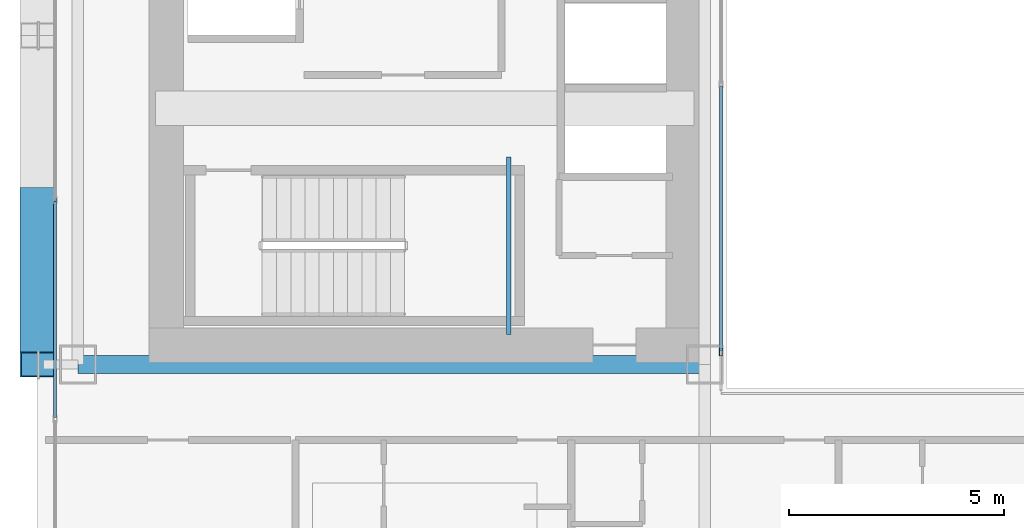
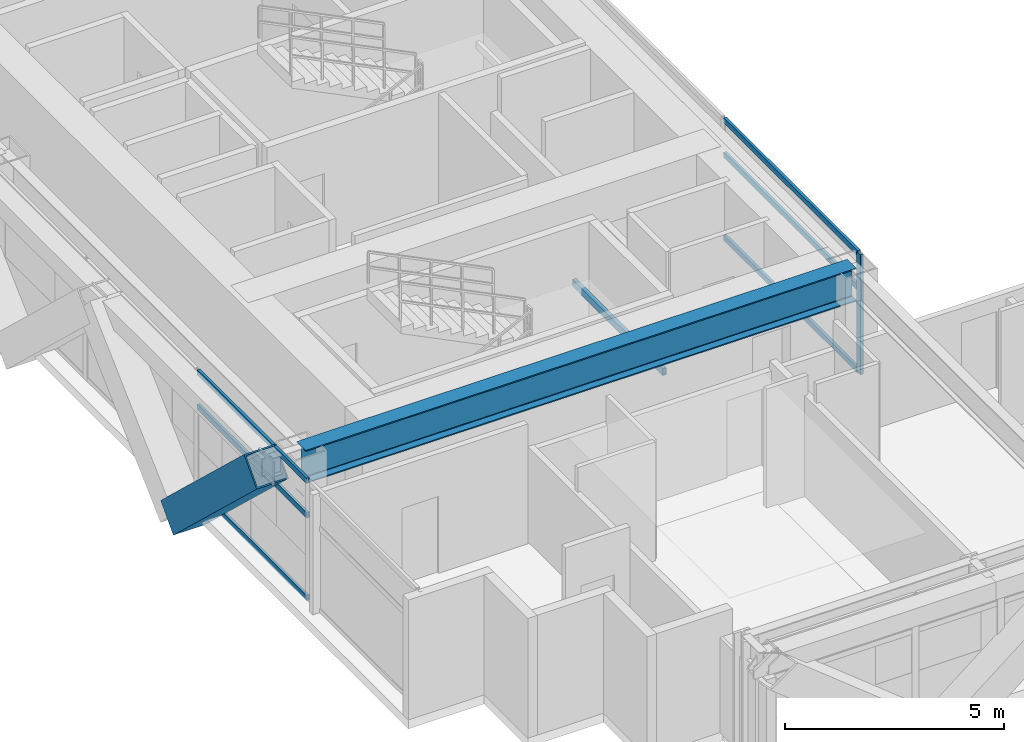
# One storey, part 4 of 41: 8 members, 2 beams, 2 elements without a shape of their own.
"""IFC4 building model written with IfcOpenShell, lengths in metres."""

import ifcopenshell
import ifcopenshell.guid

model = None  # the IFC model being written
_history = None  # IfcOwnerHistory: only IFC2X3 demands one
_inside = {}  # id of a spatial element -> (the spatial element, [elements in it])
_under = {}  # id of a project, library or spatial element -> (it, [spatial elements below it])
_declared = {}  # id of a project -> (the project, [libraries it declares])
_typed = {}  # id of a type object -> (the type object, [elements of that type])
_made_of = {}  # id of a material, layer set ... -> (it, [elements and type objects made of it])


def new_model(schema):
    """Start an empty IFC model of exactly this schema.

    Asked for "IFC4X3", IfcOpenShell would pick the latest addendum, in which some entities
    have other attributes; the version numbers below select the first issue.
    IFC2X3 requires an IfcOwnerHistory on every rooted entity: one is made here for all.
    """
    global model, _history
    if schema == "IFC4X3":
        model = ifcopenshell.file(schema_version=(4, 3, 0, 0))
    else:
        model = ifcopenshell.file(schema=schema)
    _inside.clear()
    _under.clear()
    _declared.clear()
    _typed.clear()
    _made_of.clear()
    _history = None
    if model.schema == "IFC2X3":
        org = make("IfcOrganization", Name="unknown")
        user = make(
            "IfcPersonAndOrganization",
            ThePerson=make("IfcPerson", FamilyName="unknown"),
            TheOrganization=org,
        )
        app = make(
            "IfcApplication",
            ApplicationDeveloper=org,
            Version="unknown",
            ApplicationFullName="unknown",
            ApplicationIdentifier="unknown",
        )
        _history = make(
            "IfcOwnerHistory",
            OwningUser=user,
            OwningApplication=app,
            ChangeAction="ADDED",
            CreationDate=0,
        )
    return model


def make(cls, **values):
    """One entity of the class cls with the attributes given. An attribute that is None is left unset."""
    return model.create_entity(
        cls, **{name: value for name, value in values.items() if value is not None}
    )


def rooted(cls, **values):
    """An entity with a GlobalId (a new one), such as an element, a storey or a relation."""
    return make(cls, GlobalId=ifcopenshell.guid.new(), OwnerHistory=_history, **values)


def si_unit(unit_type, name, prefix=None):
    """IfcSIUnit, for example si_unit("LENGTHUNIT", "METRE", prefix="MILLI")."""
    return make("IfcSIUnit", UnitType=unit_type, Prefix=prefix, Name=name)


def assignment(units):
    """IfcUnitAssignment: the units of a project."""
    return None if units is None else make("IfcUnitAssignment", Units=units)


def point(xyz):
    """IfcCartesianPoint."""
    return None if xyz is None else make("IfcCartesianPoint", Coordinates=xyz)


def direction(xyz):
    """IfcDirection."""
    return None if xyz is None else make("IfcDirection", DirectionRatios=xyz)


def frame(location, z_axis=None, x_axis=None):
    """IfcAxis2Placement3D, a coordinate frame: its origin and axes. An axis left out is left unset."""
    return make(
        "IfcAxis2Placement3D",
        Location=point(location),
        Axis=direction(z_axis),
        RefDirection=direction(x_axis),
    )


def frame_2d(location, x_axis=None):
    """IfcAxis2Placement2D, a coordinate frame in the plane: its origin and x axis."""
    return make(
        "IfcAxis2Placement2D", Location=point(location), RefDirection=direction(x_axis)
    )


def origin():
    """The frame at (0, 0, 0) with its axes left unset."""
    return frame((0.0, 0.0, 0.0))


def origin_2d():
    """The frame at (0, 0) in the plane with its x axis left unset."""
    return frame_2d((0.0, 0.0))


def place(relative_to, where):
    """IfcLocalPlacement: puts the frame where relative to a parent placement (None: the world)."""
    return make(
        "IfcLocalPlacement", PlacementRelTo=relative_to, RelativePlacement=where
    )


def context(
    kind, dimensions, precision=None, world=None, true_north=None, identifier=None
):
    """IfcGeometricRepresentationContext, for example the 3D "Model" context."""
    return make(
        "IfcGeometricRepresentationContext",
        ContextIdentifier=identifier,
        ContextType=kind,
        CoordinateSpaceDimension=dimensions,
        Precision=precision,
        WorldCoordinateSystem=world,
        TrueNorth=true_north,
    )


def subcontext(parent, identifier, kind, view, scale=None):
    """IfcGeometricRepresentationSubContext, for example "Body" below "Model"."""
    return make(
        "IfcGeometricRepresentationSubContext",
        ContextIdentifier=identifier,
        ContextType=kind,
        ParentContext=parent,
        TargetScale=scale,
        TargetView=view,
    )


def project(units=None, contexts=None):
    """IfcProject with its units and contexts."""
    return rooted(
        "IfcProject",
        Name="project",
        RepresentationContexts=contexts,
        UnitsInContext=assignment(units),
    )


def spatial(cls, under=None, at=None, **own):
    """A site, building, storey or space (cls), placed at a placement, below another one or the project."""
    s = rooted(cls, ObjectPlacement=at, **own)
    if under is not None:
        _under.setdefault(under.id(), (under, []))[1].append(s)
    return s


def profile(cls, at=None, kind="AREA", **sizes):
    """A parametric profile (cls). Its sizes go by their IFC names, for example OverallWidth=200.0."""
    return make(cls, ProfileType=kind, Position=at, **sizes)


def hollow_rectangle(**sizes):
    """IfcRectangleHollowProfileDef."""
    return profile("IfcRectangleHollowProfileDef", **sizes)


def i_section(**sizes):
    """IfcIShapeProfileDef."""
    return profile("IfcIShapeProfileDef", **sizes)


def extrude(swept, where, along, depth):
    """IfcExtrudedAreaSolid: the profile swept, set in the frame where, extruded along a direction by depth."""
    return make(
        "IfcExtrudedAreaSolid",
        SweptArea=swept,
        Position=where,
        ExtrudedDirection=direction(along),
        Depth=depth,
    )


def shape(context_of_items, identifier, shape_type, items):
    """IfcShapeRepresentation: the items that make up one representation, for example the "Body"."""
    return make(
        "IfcShapeRepresentation",
        ContextOfItems=context_of_items,
        RepresentationIdentifier=identifier,
        RepresentationType=shape_type,
        Items=items,
    )


def source(mapping_origin, context_of_items, identifier, shape_type, items):
    """IfcRepresentationMap: a shape defined once, which mapped items show again and again."""
    return make(
        "IfcRepresentationMap",
        MappingOrigin=mapping_origin,
        MappedRepresentation=shape(context_of_items, identifier, shape_type, items),
    )


def transform(
    local_origin,
    x_axis=None,
    y_axis=None,
    z_axis=None,
    scale=None,
    scale2=None,
    scale3=None,
    uniform=True,
):
    """IfcCartesianTransformationOperator3D, or its non-uniform kind. x_axis, y_axis, z_axis: its Axis1, 2, 3."""
    if uniform:
        return make(
            "IfcCartesianTransformationOperator3D",
            Axis1=direction(x_axis),
            Axis2=direction(y_axis),
            LocalOrigin=point(local_origin),
            Scale=scale,
            Axis3=direction(z_axis),
        )
    return make(
        "IfcCartesianTransformationOperator3DnonUniform",
        Axis1=direction(x_axis),
        Axis2=direction(y_axis),
        LocalOrigin=point(local_origin),
        Scale=scale,
        Axis3=direction(z_axis),
        Scale2=scale2,
        Scale3=scale3,
    )


def mapped(mapping_source, mapping_target):
    """IfcMappedItem: shows the shape of a source again, moved by a transform."""
    return make(
        "IfcMappedItem", MappingSource=mapping_source, MappingTarget=mapping_target
    )


def material(Name=None, Category=None):
    """IfcMaterial."""
    return make("IfcMaterial", Name=Name, Category=Category)


def layer(
    of_material, thickness, ventilated=None, Name=None, Category=None, Priority=None
):
    """IfcMaterialLayer: one layer of a wall or slab, of a material (None: an air gap)."""
    return make(
        "IfcMaterialLayer",
        Material=of_material,
        LayerThickness=thickness,
        IsVentilated=ventilated,
        Name=Name,
        Category=Category,
        Priority=Priority,
    )


def layer_set(layers, Name=None):
    """IfcMaterialLayerSet."""
    return make("IfcMaterialLayerSet", MaterialLayers=layers, LayerSetName=Name)


def material_profile(
    of_material, cross_section, Name=None, Category=None, Priority=None
):
    """IfcMaterialProfile: a cross section and its material."""
    return make(
        "IfcMaterialProfile",
        Name=Name,
        Material=of_material,
        Profile=cross_section,
        Priority=Priority,
        Category=Category,
    )


def profile_set(profiles, Name=None, composite=None):
    """IfcMaterialProfileSet."""
    return make(
        "IfcMaterialProfileSet",
        Name=Name,
        MaterialProfiles=profiles,
        CompositeProfile=composite,
    )


def made_of(thing, what):
    """Note that an element or type object is made of a material, layer set ...; save() writes the relation."""
    if what is not None:
        _made_of.setdefault(what.id(), (what, []))[1].append(thing)
    return thing


def type_object(cls, material=None, **own):
    """A type object (cls), such as IfcWallType, which elements share."""
    return made_of(rooted(cls, **own), material)


def element(
    cls,
    number,
    at=None,
    inside=None,
    cuts=None,
    type_object=None,
    material=None,
    context=None,
    identifier="Body",
    shape_type=None,
    held_by="IfcProductDefinitionShape",
    body=None,
    shapes=None,
    **own,
):
    """One element of the class cls, such as IfcWall. Its Tag is "e" and its number.

    at: its placement. inside: the storey or other place that contains it. cuts: it is an
    opening in that element (IfcRelVoidsElement). A single representation is given by context,
    identifier, shape_type and body (its items); several are given by shapes. held_by: the class
    of the entity that holds the representations. save() writes the other relations.
    """
    e = rooted(cls, Tag="e%d" % number, ObjectPlacement=at, **own)
    if body is not None:
        shapes = [shape(context, identifier, shape_type, body)]
    if shapes is not None:
        e.Representation = make(held_by, Representations=shapes)
    if inside is not None:
        _inside.setdefault(inside.id(), (inside, []))[1].append(e)
    if cuts is not None:
        rooted(
            "IfcRelVoidsElement", RelatingBuildingElement=cuts, RelatedOpeningElement=e
        )
    if type_object is not None:
        _typed.setdefault(type_object.id(), (type_object, []))[1].append(e)
    return made_of(e, material)


def aggregate(whole, parts):
    """IfcRelAggregates: a whole, such as a stair, and the parts it consists of."""
    return rooted("IfcRelAggregates", RelatingObject=whole, RelatedObjects=parts)


def save(model, path):
    """Write the relations noted so far, then the file.

    IfcRelAggregates (storeys below a building ...), IfcRelContainedInSpatialStructure (elements
    in a storey), IfcRelDefinesByType, IfcRelAssociatesMaterial and IfcRelDeclares: one each for
    every whole, place, type object, material and project.
    """
    for whole, parts in _under.values():
        aggregate(whole, parts)
    for where, things in _inside.values():
        rooted(
            "IfcRelContainedInSpatialStructure",
            RelatedElements=things,
            RelatingStructure=where,
        )
    for kind, things in _typed.values():
        rooted("IfcRelDefinesByType", RelatedObjects=things, RelatingType=kind)
    for what, things in _made_of.values():
        rooted("IfcRelAssociatesMaterial", RelatedObjects=things, RelatingMaterial=what)
    for by, libraries in _declared.values():
        rooted("IfcRelDeclares", RelatingContext=by, RelatedDefinitions=libraries)
    model.write(path)


model = new_model("IFC4")

# Units and contexts
model_context = context("Model", 3, precision=1e-05, world=origin(), true_north=direction((0.0, 1.0)))
body_context = subcontext(model_context, "Body", "Model", "MODEL_VIEW")
ifc_project = project(units=[si_unit("LENGTHUNIT", "METRE"), si_unit("AREAUNIT", "SQUARE_METRE"), si_unit("VOLUMEUNIT", "CUBIC_METRE"), si_unit("PLANEANGLEUNIT", "RADIAN"), si_unit("MASSUNIT", "GRAM", prefix="KILO")], contexts=[model_context])

# Site, building, storey
site_placement = place(None, origin())
site = spatial("IfcSite", under=ifc_project, at=site_placement, CompositionType="ELEMENT")
building_placement = place(site_placement, origin())
building = spatial("IfcBuilding", under=site, at=building_placement, Name="Ocotamira Hotel", CompositionType="ELEMENT")
storey_placement = place(building_placement, frame((0.0, 0.0, 52.800048828125)))
storey = spatial("IfcBuildingStorey", under=building, at=storey_placement, Name="L12", CompositionType="ELEMENT", Elevation=52.800048828125)

# Beams
ifc_material_1 = material(Name="Steel ASTM A500 Grade C", Category="steel")
ifc_material_profile_1 = material_profile(ifc_material_1, hollow_rectangle(XDim=0.10009765625, YDim=0.199951171875, WallThickness=0.008056640625, at=origin_2d()), Name="HSS200X100X8")
ifc_profile_set_1 = profile_set([ifc_material_profile_1], Name="Steel ASTM A500 Grade C")
beam_type_1 = type_object("IfcBeamType", Name="BM-STLDG-HSS200", PredefinedType="BEAM", material=ifc_profile_set_1)
shared_shape_1 = source(origin(), body_context, "Body", "SweptSolid", [
    extrude(hollow_rectangle(XDim=0.10009765625, YDim=0.199951171875, WallThickness=0.008056640625, at=origin_2d()), origin(), (0.0, 0.0, 1.0), 4.1201171875),
])
beam_1_placement = place(storey_placement, frame((18.949951171875, 15.25, 1.5), z_axis=(0.0, 1.0, 0.0), x_axis=(-1.0, 0.0, 0.0)))
element("IfcBeam", 1, at=beam_1_placement, inside=storey, type_object=beam_type_1, Name="L12 Stair ST-1 Landing Bearer 1", PredefinedType="BEAM", context=body_context, shape_type="MappedRepresentation", body=[
    mapped(shared_shape_1, transform((0.0, 0.0, 0.0), scale=1.0)),
])
ifc_material_2 = material(Name="Steel ASTM A992 Grade 50", Category="steel")
ifc_material_profile_2 = material_profile(ifc_material_2, i_section(OverallWidth=0.41796875, OverallDepth=0.927001953125, WebThickness=0.019287109375, FlangeThickness=0.031982421875, FilletRadius=0.02392578125, at=origin_2d()), Name="W36X231")
ifc_profile_set_2 = profile_set([ifc_material_profile_2], Name="Steel ASTM A992 Grade 50")
beam_type_2 = type_object("IfcBeamType", Name="BM-GIRD-W36X231", PredefinedType="BEAM", material=ifc_profile_set_2)
shared_shape_2 = source(origin(), body_context, "Body", "SweptSolid", [
    extrude(i_section(OverallWidth=0.41796875, OverallDepth=0.927001953125, WebThickness=0.019287109375, FlangeThickness=0.031982421875, FilletRadius=0.02392578125, at=origin_2d()), origin(), (0.0, 0.0, 1.0), 14.550048828125),
])
beam_2_placement = place(storey_placement, frame((8.949951171875, 14.550048828125, 2.886474609375), z_axis=(1.0, 0.0, 0.0), x_axis=(0.0, 1.0, 0.0)))
element("IfcBeam", 2, at=beam_2_placement, inside=storey, type_object=beam_type_2, Name="L12 Girder Y14.55 X8.95-23.5", PredefinedType="BEAM", context=body_context, shape_type="MappedRepresentation", body=[
    mapped(shared_shape_2, transform((0.0, 0.0, 0.0), scale=1.0)),
])

# Member
ifc_material_3 = material(Name="Pale-metal coated steel ASTM A913 Grade 65", Category="steel")
ifc_material_profile_3 = material_profile(ifc_material_3, hollow_rectangle(XDim=0.85009765625, YDim=0.85009765625, WallThickness=0.035888671875, at=origin_2d()), Name="BOX850X850X36")
ifc_profile_set_3 = profile_set([ifc_material_profile_3], Name="Pale-metal coated steel ASTM A913 Grade 65")
member_type_1 = type_object("IfcMemberType", Name="MEM-EXO-BOX850", PredefinedType="BRACE", material=ifc_profile_set_3)
shared_shape_3 = source(origin(), body_context, "Body", "SweptSolid", [
    extrude(hollow_rectangle(XDim=0.85009765625, YDim=0.85009765625, WallThickness=0.035888671875, at=origin_2d()), origin(), (0.0, 0.0, 1.0), 5.24658203125),
])
member_1_placement = place(storey_placement, frame((8.030029296875, 18.36669921875, -0.5), z_axis=(0.0, -0.72746596067, 0.686143772154), x_axis=(1.0, 0.0, 0.0)))
element("IfcMember", 3, at=member_1_placement, inside=storey, type_object=member_type_1, Name="L12 Exoskeleton Diagrid W0.1", PredefinedType="BRACE", context=body_context, shape_type="MappedRepresentation", body=[
    mapped(shared_shape_3, transform((0.0, 0.0, 0.0), scale=1.0)),
])

# Curtain wall, member
ifc_material_4 = material(Name="Anodised pale-metal aluminium and solar glass", Category="aluminium")
ifc_layer_1 = layer(ifc_material_4, 0.159912109375)
ifc_layer_set_1 = layer_set([ifc_layer_1], Name="Anodised pale-metal aluminium and solar glass")
curtain_wall_type_1 = type_object("IfcCurtainWallType", Name="CW-SYS6-ATR", PredefinedType="NOTDEFINED", material=ifc_layer_set_1)
curtain_wall_1_placement = place(storey_placement, origin())
curtain_wall_1 = element("IfcCurtainWall", 4, at=curtain_wall_1_placement, inside=storey, type_object=curtain_wall_type_1, Name="L12 Curtain Wall CW-6 CW-L12-ATRW1", PredefinedType="NOTDEFINED")
ifc_material_5 = material(Name="Anodised pale-metal aluminium 6063-T6", Category="aluminium")
ifc_material_profile_4 = material_profile(ifc_material_5, hollow_rectangle(XDim=0.080078125, YDim=0.179931640625, WallThickness=0.006103515625, at=origin_2d()), Name="HSS180X80X6")
ifc_profile_set_4 = profile_set([ifc_material_profile_4], Name="Anodised pale-metal aluminium 6063-T6")
member_type_2 = type_object("IfcMemberType", Name="CWM-180X75", PredefinedType="MULLION", material=ifc_profile_set_4)
shared_shape_4 = source(origin(), body_context, "Body", "SweptSolid", [
    extrude(hollow_rectangle(XDim=0.080078125, YDim=0.179931640625, WallThickness=0.006103515625, at=origin_2d()), origin(), (0.0, 0.0, 1.0), 3.349853515625),
])
member_2_placement = place(storey_placement, frame((23.8798828125, 14.840087890625, 0.0), z_axis=(0.0, 0.0, 1.0), x_axis=(-1.0, 0.0, 0.0)))
member_2 = element("IfcMember", 5, at=member_2_placement, type_object=member_type_2, Name="CW-6 mullion 1", PredefinedType="MULLION", context=body_context, shape_type="MappedRepresentation", body=[
    mapped(shared_shape_4, transform((0.0, 0.0, 0.0), scale=1.0)),
])

# Curtain wall, members
ifc_layer_2 = layer(ifc_material_4, 0.179931640625)
ifc_layer_set_2 = layer_set([ifc_layer_2], Name="Anodised pale-metal aluminium and solar glass")
curtain_wall_type_2 = type_object("IfcCurtainWallType", Name="CW-SYS2-Z1", PredefinedType="NOTDEFINED", material=ifc_layer_set_2)
curtain_wall_2_placement = place(storey_placement, origin())
curtain_wall_2 = element("IfcCurtainWall", 6, at=curtain_wall_2_placement, inside=storey, type_object=curtain_wall_type_2, Name="L12 Curtain Wall CW-2 CW-L12-W", PredefinedType="NOTDEFINED")
ifc_material_profile_5 = material_profile(ifc_material_5, hollow_rectangle(XDim=0.074951171875, YDim=0.14990234375, WallThickness=0.006103515625, at=origin_2d()), Name="HSS150X75X6")
ifc_profile_set_5 = profile_set([ifc_material_profile_5], Name="Anodised pale-metal aluminium 6063-T6")
member_type_3 = type_object("IfcMemberType", Name="CWT-150X75", PredefinedType="USERDEFINED", material=ifc_profile_set_5)
shared_shape_5 = source(origin(), body_context, "Body", "SweptSolid", [
    extrude(hollow_rectangle(XDim=0.074951171875, YDim=0.14990234375, WallThickness=0.006103515625, at=origin_2d()), origin(), (0.0, 0.0, 1.0), 5.005859375),
])
member_3_placement = place(storey_placement, frame((8.419921875, 13.32568359375, 0.037353515625), z_axis=(0.0, 1.0, 0.0), x_axis=(-1.0, 0.0, 0.0)))
member_3 = element("IfcMember", 7, at=member_3_placement, type_object=member_type_3, Name="CW-2 transom 2.1", ObjectType="TRANSOM", PredefinedType="USERDEFINED", context=body_context, shape_type="MappedRepresentation", body=[
    mapped(shared_shape_5, transform((0.0, 0.0, 0.0), scale=1.0)),
])
member_4_placement = place(storey_placement, frame((8.419921875, 13.32568359375, 2.349853515625), z_axis=(0.0, 1.0, 0.0), x_axis=(-1.0, 0.0, 0.0)))
member_4 = element("IfcMember", 8, at=member_4_placement, type_object=member_type_3, Name="CW-2 transom 2.2", ObjectType="TRANSOM", PredefinedType="USERDEFINED", context=body_context, shape_type="MappedRepresentation", body=[
    mapped(shared_shape_5, transform((0.0, 0.0, 0.0), scale=1.0)),
])
member_5_placement = place(storey_placement, frame((8.419921875, 13.32568359375, 3.3125), z_axis=(0.0, 1.0, 0.0), x_axis=(-1.0, 0.0, 0.0)))
member_5 = element("IfcMember", 9, at=member_5_placement, type_object=member_type_3, Name="CW-2 transom 2.3", ObjectType="TRANSOM", PredefinedType="USERDEFINED", context=body_context, shape_type="MappedRepresentation", body=[
    mapped(shared_shape_5, transform((0.0, 0.0, 0.0), scale=1.0)),
])
aggregate(curtain_wall_2, [member_3, member_4, member_5])

# Member
shared_shape_6 = source(origin(), body_context, "Body", "SweptSolid", [
    extrude(hollow_rectangle(XDim=0.074951171875, YDim=0.14990234375, WallThickness=0.006103515625, at=origin_2d()), origin(), (0.0, 0.0, 1.0), 6.130126953125),
])
member_6_placement = place(storey_placement, frame((23.8798828125, 14.8798828125, 0.037353515625), z_axis=(0.0, 1.0, 0.0), x_axis=(-1.0, 0.0, 0.0)))
member_6 = element("IfcMember", 10, at=member_6_placement, type_object=member_type_3, Name="CW-6 transom 1.1", ObjectType="TRANSOM", PredefinedType="USERDEFINED", context=body_context, shape_type="MappedRepresentation", body=[
    mapped(shared_shape_6, transform((0.0, 0.0, 0.0), scale=1.0)),
])

member_7_placement = place(storey_placement, frame((23.8798828125, 14.8798828125, 2.349853515625), z_axis=(0.0, 1.0, 0.0), x_axis=(-1.0, 0.0, 0.0)))
member_7 = element("IfcMember", 11, at=member_7_placement, type_object=member_type_3, Name="CW-6 transom 1.2", ObjectType="TRANSOM", PredefinedType="USERDEFINED", context=body_context, shape_type="MappedRepresentation", body=[
    mapped(shared_shape_6, transform((0.0, 0.0, 0.0), scale=1.0)),
])

member_8_placement = place(storey_placement, frame((23.8798828125, 14.8798828125, 3.3125), z_axis=(0.0, 1.0, 0.0), x_axis=(-1.0, 0.0, 0.0)))
member_8 = element("IfcMember", 12, at=member_8_placement, type_object=member_type_3, Name="CW-6 transom 1.3", ObjectType="TRANSOM", PredefinedType="USERDEFINED", context=body_context, shape_type="MappedRepresentation", body=[
    mapped(shared_shape_6, transform((0.0, 0.0, 0.0), scale=1.0)),
])

aggregate(curtain_wall_1, [member_2, member_6, member_7, member_8])

save(model, "model.ifc")
